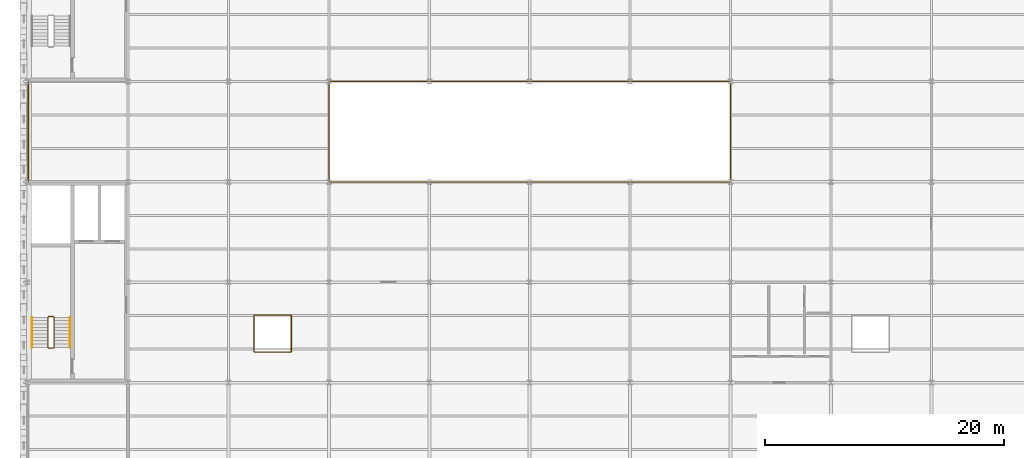
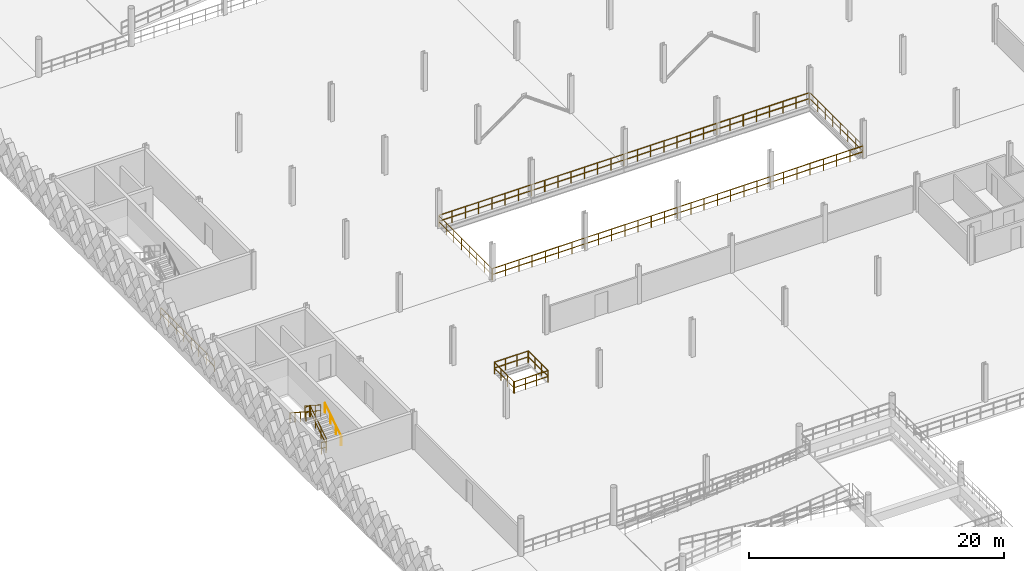
# One storey, part 56 of 62: 15 railings.
"""IFC4 building model written with IfcOpenShell, lengths in metres."""

from ifc_helpers import new_model, si_unit, direction, frame, origin, origin_2d, place, context, subcontext, project, spatial, circle, extrude, material, type_object, element, save


model = new_model("IFC4")

# Units and contexts
model_context = context("Model", 3, precision=1e-05, world=origin(), true_north=direction((0.0, 1.0)))
body_context = subcontext(model_context, "Body", "Model", "MODEL_VIEW")
ifc_project = project(units=[si_unit("LENGTHUNIT", "METRE"), si_unit("AREAUNIT", "SQUARE_METRE"), si_unit("VOLUMEUNIT", "CUBIC_METRE"), si_unit("PLANEANGLEUNIT", "RADIAN"), si_unit("MASSUNIT", "GRAM", prefix="KILO"), si_unit("THERMODYNAMICTEMPERATUREUNIT", "KELVIN"), si_unit("POWERUNIT", "WATT")], contexts=[model_context])

# Site, building, storey
site_placement = place(None, origin())
site = spatial("IfcSite", under=ifc_project, at=site_placement, CompositionType="ELEMENT")
building_placement = place(site_placement, origin())
building = spatial("IfcBuilding", under=site, at=building_placement, Name="Tembeka Court Mobility Hub", CompositionType="ELEMENT")
storey_placement = place(building_placement, frame((0.0, 0.0, 16.199951171875)))
storey = spatial("IfcBuildingStorey", under=building, at=storey_placement, Name="L04", CompositionType="ELEMENT", Elevation=16.199951171875)

# Railings
ifc_material_1 = material(Name="Painted galvanised steel balustrade", Category="steel")
railing_type_1 = type_object("IfcRailingType", Name="RL-GR01", PredefinedType="GUARDRAIL", material=ifc_material_1)
railing_1_placement = place(storey_placement, frame((18.97998046875, 40.949951171875, 0.0)))
element("IfcRailing", 1, at=railing_1_placement, inside=storey, type_object=railing_type_1, Name="Perimeter guard GR01-0131", PredefinedType="GUARDRAIL", context=body_context, shape_type="SweptSolid", body=[
    extrude(circle(Radius=0.02392578125, at=origin_2d()), frame((0.0, 0.0, 1.09619140625), z_axis=(1.0, 0.0, 0.0), x_axis=(0.0, 1.0, 0.0)), (0.0, 0.0, 1.0), 3.0400390625),
    extrude(circle(Radius=0.02392578125, at=origin_2d()), frame((0.0, 0.0, 0.5361328125), z_axis=(1.0, 0.0, 0.0), x_axis=(0.0, 1.0, 0.0)), (0.0, 0.0, 1.0), 3.0400390625),
    extrude(circle(Radius=0.02099609375, at=origin_2d()), origin(), (0.0, 0.0, 1.0), 1.072021484375),
    extrude(circle(Radius=0.02099609375, at=origin_2d()), frame((1.013427734375, 0.0, 0.0)), (0.0, 0.0, 1.0), 1.072021484375),
    extrude(circle(Radius=0.02099609375, at=origin_2d()), frame((2.026611328125, 0.0, 0.0)), (0.0, 0.0, 1.0), 1.072021484375),
    extrude(circle(Radius=0.02099609375, at=origin_2d()), frame((3.0400390625, 0.0, 0.0)), (0.0, 0.0, 1.0), 1.072021484375),
])
railing_2_placement = place(storey_placement, frame((22.050048828125, 40.97998046875, 0.0)))
element("IfcRailing", 2, at=railing_2_placement, inside=storey, type_object=railing_type_1, Name="Perimeter guard GR01-0132", PredefinedType="GUARDRAIL", context=body_context, shape_type="SweptSolid", body=[
    extrude(circle(Radius=0.02392578125, at=origin_2d()), frame((0.0, 0.0, 1.09619140625), z_axis=(0.0, 1.0, 0.0), x_axis=(-1.0, 0.0, 0.0)), (0.0, 0.0, 1.0), 3.0400390625),
    extrude(circle(Radius=0.02392578125, at=origin_2d()), frame((0.0, 0.0, 0.5361328125), z_axis=(0.0, 1.0, 0.0), x_axis=(-1.0, 0.0, 0.0)), (0.0, 0.0, 1.0), 3.0400390625),
    extrude(circle(Radius=0.02099609375, at=origin_2d()), origin(), (0.0, 0.0, 1.0), 1.072021484375),
    extrude(circle(Radius=0.02099609375, at=origin_2d()), frame((0.0, 1.013427734375, 0.0)), (0.0, 0.0, 1.0), 1.072021484375),
    extrude(circle(Radius=0.02099609375, at=origin_2d()), frame((0.0, 2.026611328125, 0.0)), (0.0, 0.0, 1.0), 1.072021484375),
    extrude(circle(Radius=0.02099609375, at=origin_2d()), frame((0.0, 3.0400390625, 0.0)), (0.0, 0.0, 1.0), 1.072021484375),
])
railing_3_placement = place(storey_placement, frame((22.02001953125, 44.050048828125, 0.0)))
element("IfcRailing", 3, at=railing_3_placement, inside=storey, type_object=railing_type_1, Name="Perimeter guard GR01-0133", PredefinedType="GUARDRAIL", context=body_context, shape_type="SweptSolid", body=[
    extrude(circle(Radius=0.02392578125, at=origin_2d()), frame((0.0, 0.0, 1.09619140625), z_axis=(-1.0, 0.0, 0.0), x_axis=(0.0, -1.0, 0.0)), (0.0, 0.0, 1.0), 3.0400390625),
    extrude(circle(Radius=0.02392578125, at=origin_2d()), frame((0.0, 0.0, 0.5361328125), z_axis=(-1.0, 0.0, 0.0), x_axis=(0.0, -1.0, 0.0)), (0.0, 0.0, 1.0), 3.0400390625),
    extrude(circle(Radius=0.02099609375, at=origin_2d()), origin(), (0.0, 0.0, 1.0), 1.072021484375),
    extrude(circle(Radius=0.02099609375, at=origin_2d()), frame((-1.013427734375, 0.0, 0.0)), (0.0, 0.0, 1.0), 1.072021484375),
    extrude(circle(Radius=0.02099609375, at=origin_2d()), frame((-2.026611328125, 0.0, 0.0)), (0.0, 0.0, 1.0), 1.072021484375),
    extrude(circle(Radius=0.02099609375, at=origin_2d()), frame((-3.0400390625, 0.0, 0.0)), (0.0, 0.0, 1.0), 1.072021484375),
])
railing_4_placement = place(storey_placement, frame((18.949951171875, 44.02001953125, 0.0)))
element("IfcRailing", 4, at=railing_4_placement, inside=storey, type_object=railing_type_1, Name="Perimeter guard GR01-0134", PredefinedType="GUARDRAIL", context=body_context, shape_type="SweptSolid", body=[
    extrude(circle(Radius=0.02392578125, at=origin_2d()), frame((0.0, 0.0, 1.09619140625), z_axis=(0.0, -1.0, 0.0), x_axis=(1.0, 0.0, 0.0)), (0.0, 0.0, 1.0), 3.0400390625),
    extrude(circle(Radius=0.02392578125, at=origin_2d()), frame((0.0, 0.0, 0.5361328125), z_axis=(0.0, -1.0, 0.0), x_axis=(1.0, 0.0, 0.0)), (0.0, 0.0, 1.0), 3.0400390625),
    extrude(circle(Radius=0.02099609375, at=origin_2d()), origin(), (0.0, 0.0, 1.0), 1.072021484375),
    extrude(circle(Radius=0.02099609375, at=origin_2d()), frame((0.0, -1.013427734375, 0.0)), (0.0, 0.0, 1.0), 1.072021484375),
    extrude(circle(Radius=0.02099609375, at=origin_2d()), frame((0.0, -2.026611328125, 0.0)), (0.0, 0.0, 1.0), 1.072021484375),
    extrude(circle(Radius=0.02099609375, at=origin_2d()), frame((0.0, -3.0400390625, 0.0)), (0.0, 0.0, 1.0), 1.072021484375),
])
railing_5_placement = place(storey_placement, frame((2.199951171875, 41.35009765625, 0.179931640625)))
element("IfcRailing", 5, at=railing_5_placement, inside=storey, type_object=railing_type_1, Name="L04 ST01 stair guard 1-1", PredefinedType="GUARDRAIL", context=body_context, shape_type="SweptSolid", body=[
    extrude(circle(Radius=0.02392578125, at=origin_2d()), frame((0.0, 0.0, 1.09619140625), z_axis=(0.0, 0.841162588446, 0.540782303519), x_axis=(-1.0, 0.0, 0.0)), (0.0, 0.0, 1.0), 2.995849609375),
    extrude(circle(Radius=0.02392578125, at=origin_2d()), frame((0.0, 0.0, 0.5361328125), z_axis=(0.0, 0.841162588446, 0.540782303519), x_axis=(-1.0, 0.0, 0.0)), (0.0, 0.0, 1.0), 2.995849609375),
    extrude(circle(Radius=0.02099609375, at=origin_2d()), origin(), (0.0, 0.0, 1.0), 1.072021484375),
    extrude(circle(Radius=0.02099609375, at=origin_2d()), frame((0.0, 0.840087890625, 0.5400390625)), (0.0, 0.0, 1.0), 1.072021484375),
    extrude(circle(Radius=0.02099609375, at=origin_2d()), frame((0.0, 1.679931640625, 1.080078125)), (0.0, 0.0, 1.0), 1.072021484375),
    extrude(circle(Radius=0.02099609375, at=origin_2d()), frame((0.0, 2.52001953125, 1.6201171875)), (0.0, 0.0, 1.0), 1.072021484375),
])
railing_6_placement = place(storey_placement, frame((2.14990234375, 43.919921875, 1.800048828125)))
element("IfcRailing", 6, at=railing_6_placement, inside=storey, type_object=railing_type_1, Name="L04 ST01 stair guard 2-1", PredefinedType="GUARDRAIL", context=body_context, shape_type="SweptSolid", body=[
    extrude(circle(Radius=0.02392578125, at=origin_2d()), frame((0.0, 0.0, 1.09619140625), z_axis=(-1.0, 0.0, 0.0), x_axis=(0.0, -1.0, 0.0)), (0.0, 0.0, 1.0), 0.39990234375),
    extrude(circle(Radius=0.02392578125, at=origin_2d()), frame((0.0, 0.0, 0.5361328125), z_axis=(-1.0, 0.0, 0.0), x_axis=(0.0, -1.0, 0.0)), (0.0, 0.0, 1.0), 0.39990234375),
    extrude(circle(Radius=0.02099609375, at=origin_2d()), origin(), (0.0, 0.0, 1.0), 1.072021484375),
    extrude(circle(Radius=0.02099609375, at=origin_2d()), frame((-0.39990234375, 0.0, 0.0)), (0.0, 0.0, 1.0), 1.072021484375),
])
railing_7_placement = place(storey_placement, frame((1.699951171875, 43.8701171875, 1.97998046875)))
element("IfcRailing", 7, at=railing_7_placement, inside=storey, type_object=railing_type_1, Name="L04 ST01 stair guard 3-1", PredefinedType="GUARDRAIL", context=body_context, shape_type="SweptSolid", body=[
    extrude(circle(Radius=0.02392578125, at=origin_2d()), frame((0.0, 0.0, 1.09619140625), z_axis=(0.0, -0.841162588446, 0.540782303519), x_axis=(1.0, 0.0, 0.0)), (0.0, 0.0, 1.0), 2.995849609375),
    extrude(circle(Radius=0.02392578125, at=origin_2d()), frame((0.0, 0.0, 0.5361328125), z_axis=(0.0, -0.841162588446, 0.540782303519), x_axis=(1.0, 0.0, 0.0)), (0.0, 0.0, 1.0), 2.995849609375),
    extrude(circle(Radius=0.02099609375, at=origin_2d()), origin(), (0.0, 0.0, 1.0), 1.072021484375),
    extrude(circle(Radius=0.02099609375, at=origin_2d()), frame((0.0, -0.840087890625, 0.5400390625)), (0.0, 0.0, 1.0), 1.072021484375),
    extrude(circle(Radius=0.02099609375, at=origin_2d()), frame((0.0, -1.679931640625, 1.080078125)), (0.0, 0.0, 1.0), 1.072021484375),
    extrude(circle(Radius=0.02099609375, at=origin_2d()), frame((0.0, -2.52001953125, 1.6201171875)), (0.0, 0.0, 1.0), 1.072021484375),
])
railing_8_placement = place(storey_placement, frame((2.14990234375, 41.300048828125, 0.0)))
element("IfcRailing", 8, at=railing_8_placement, inside=storey, type_object=railing_type_1, Name="L04 ST01 stair guard 4-1", PredefinedType="GUARDRAIL", context=body_context, shape_type="SweptSolid", body=[
    extrude(circle(Radius=0.02392578125, at=origin_2d()), frame((0.0, 0.0, 1.09619140625), z_axis=(-1.0, 0.0, 0.0), x_axis=(0.0, -1.0, 0.0)), (0.0, 0.0, 1.0), 0.39990234375),
    extrude(circle(Radius=0.02392578125, at=origin_2d()), frame((0.0, 0.0, 0.5361328125), z_axis=(-1.0, 0.0, 0.0), x_axis=(0.0, -1.0, 0.0)), (0.0, 0.0, 1.0), 0.39990234375),
    extrude(circle(Radius=0.02099609375, at=origin_2d()), origin(), (0.0, 0.0, 1.0), 1.072021484375),
    extrude(circle(Radius=0.02099609375, at=origin_2d()), frame((-0.39990234375, 0.0, 0.0)), (0.0, 0.0, 1.0), 1.072021484375),
])
railing_type_2 = type_object("IfcRailingType", Name="RL-GR02", PredefinedType="GUARDRAIL", material=ifc_material_1)
railing_9_placement = place(storey_placement, frame((25.22998046875, 55.199951171875, 0.0)))
element("IfcRailing", 9, at=railing_9_placement, inside=storey, type_object=railing_type_2, Name="Perimeter guard GR02-0127", PredefinedType="GUARDRAIL", context=body_context, shape_type="SweptSolid", body=[
    extrude(circle(Radius=0.02392578125, at=origin_2d()), frame((0.0, 0.0, 1.09619140625), z_axis=(1.0, 0.0, 0.0), x_axis=(0.0, 1.0, 0.0)), (0.0, 0.0, 1.0), 33.5400390625),
    extrude(circle(Radius=0.02392578125, at=origin_2d()), frame((0.0, 0.0, 0.5361328125), z_axis=(1.0, 0.0, 0.0), x_axis=(0.0, 1.0, 0.0)), (0.0, 0.0, 1.0), 33.5400390625),
    extrude(circle(Radius=0.02099609375, at=origin_2d()), origin(), (0.0, 0.0, 1.0), 1.072021484375),
    extrude(circle(Radius=0.02099609375, at=origin_2d()), frame((1.19775390625, 0.0, 0.0)), (0.0, 0.0, 1.0), 1.072021484375),
    extrude(circle(Radius=0.02099609375, at=origin_2d()), frame((2.395751953125, 0.0, 0.0)), (0.0, 0.0, 1.0), 1.072021484375),
    extrude(circle(Radius=0.02099609375, at=origin_2d()), frame((3.593505859375, 0.0, 0.0)), (0.0, 0.0, 1.0), 1.072021484375),
    extrude(circle(Radius=0.02099609375, at=origin_2d()), frame((4.79150390625, 0.0, 0.0)), (0.0, 0.0, 1.0), 1.072021484375),
    extrude(circle(Radius=0.02099609375, at=origin_2d()), frame((5.9892578125, 0.0, 0.0)), (0.0, 0.0, 1.0), 1.072021484375),
    extrude(circle(Radius=0.02099609375, at=origin_2d()), frame((7.187255859375, 0.0, 0.0)), (0.0, 0.0, 1.0), 1.072021484375),
    extrude(circle(Radius=0.02099609375, at=origin_2d()), frame((8.385009765625, 0.0, 0.0)), (0.0, 0.0, 1.0), 1.072021484375),
    extrude(circle(Radius=0.02099609375, at=origin_2d()), frame((9.582763671875, 0.0, 0.0)), (0.0, 0.0, 1.0), 1.072021484375),
    extrude(circle(Radius=0.02099609375, at=origin_2d()), frame((10.78076171875, 0.0, 0.0)), (0.0, 0.0, 1.0), 1.072021484375),
    extrude(circle(Radius=0.02099609375, at=origin_2d()), frame((11.978515625, 0.0, 0.0)), (0.0, 0.0, 1.0), 1.072021484375),
    extrude(circle(Radius=0.02099609375, at=origin_2d()), frame((13.176513671875, 0.0, 0.0)), (0.0, 0.0, 1.0), 1.072021484375),
    extrude(circle(Radius=0.02099609375, at=origin_2d()), frame((14.374267578125, 0.0, 0.0)), (0.0, 0.0, 1.0), 1.072021484375),
    extrude(circle(Radius=0.02099609375, at=origin_2d()), frame((15.572265625, 0.0, 0.0)), (0.0, 0.0, 1.0), 1.072021484375),
    extrude(circle(Radius=0.02099609375, at=origin_2d()), frame((16.77001953125, 0.0, 0.0)), (0.0, 0.0, 1.0), 1.072021484375),
    extrude(circle(Radius=0.02099609375, at=origin_2d()), frame((17.9677734375, 0.0, 0.0)), (0.0, 0.0, 1.0), 1.072021484375),
    extrude(circle(Radius=0.02099609375, at=origin_2d()), frame((19.165771484375, 0.0, 0.0)), (0.0, 0.0, 1.0), 1.072021484375),
    extrude(circle(Radius=0.02099609375, at=origin_2d()), frame((20.363525390625, 0.0, 0.0)), (0.0, 0.0, 1.0), 1.072021484375),
    extrude(circle(Radius=0.02099609375, at=origin_2d()), frame((21.5615234375, 0.0, 0.0)), (0.0, 0.0, 1.0), 1.072021484375),
    extrude(circle(Radius=0.02099609375, at=origin_2d()), frame((22.75927734375, 0.0, 0.0)), (0.0, 0.0, 1.0), 1.072021484375),
    extrude(circle(Radius=0.02099609375, at=origin_2d()), frame((23.957275390625, 0.0, 0.0)), (0.0, 0.0, 1.0), 1.072021484375),
    extrude(circle(Radius=0.02099609375, at=origin_2d()), frame((25.155029296875, 0.0, 0.0)), (0.0, 0.0, 1.0), 1.072021484375),
    extrude(circle(Radius=0.02099609375, at=origin_2d()), frame((26.352783203125, 0.0, 0.0)), (0.0, 0.0, 1.0), 1.072021484375),
    extrude(circle(Radius=0.02099609375, at=origin_2d()), frame((27.55078125, 0.0, 0.0)), (0.0, 0.0, 1.0), 1.072021484375),
    extrude(circle(Radius=0.02099609375, at=origin_2d()), frame((28.74853515625, 0.0, 0.0)), (0.0, 0.0, 1.0), 1.072021484375),
    extrude(circle(Radius=0.02099609375, at=origin_2d()), frame((29.946533203125, 0.0, 0.0)), (0.0, 0.0, 1.0), 1.072021484375),
    extrude(circle(Radius=0.02099609375, at=origin_2d()), frame((31.144287109375, 0.0, 0.0)), (0.0, 0.0, 1.0), 1.072021484375),
    extrude(circle(Radius=0.02099609375, at=origin_2d()), frame((32.34228515625, 0.0, 0.0)), (0.0, 0.0, 1.0), 1.072021484375),
    extrude(circle(Radius=0.02099609375, at=origin_2d()), frame((33.5400390625, 0.0, 0.0)), (0.0, 0.0, 1.0), 1.072021484375),
])
railing_10_placement = place(storey_placement, frame((58.800048828125, 55.22998046875, 0.0)))
element("IfcRailing", 10, at=railing_10_placement, inside=storey, type_object=railing_type_2, Name="Perimeter guard GR02-0128", PredefinedType="GUARDRAIL", context=body_context, shape_type="SweptSolid", body=[
    extrude(circle(Radius=0.02392578125, at=origin_2d()), frame((0.0, 0.0, 1.09619140625), z_axis=(0.0, 1.0, 0.0), x_axis=(-1.0, 0.0, 0.0)), (0.0, 0.0, 1.0), 8.340087890625),
    extrude(circle(Radius=0.02392578125, at=origin_2d()), frame((0.0, 0.0, 0.5361328125), z_axis=(0.0, 1.0, 0.0), x_axis=(-1.0, 0.0, 0.0)), (0.0, 0.0, 1.0), 8.340087890625),
    extrude(circle(Radius=0.02099609375, at=origin_2d()), origin(), (0.0, 0.0, 1.0), 1.072021484375),
    extrude(circle(Radius=0.02099609375, at=origin_2d()), frame((0.0, 1.19140625, 0.0)), (0.0, 0.0, 1.0), 1.072021484375),
    extrude(circle(Radius=0.02099609375, at=origin_2d()), frame((0.0, 2.3828125, 0.0)), (0.0, 0.0, 1.0), 1.072021484375),
    extrude(circle(Radius=0.02099609375, at=origin_2d()), frame((0.0, 3.57421875, 0.0)), (0.0, 0.0, 1.0), 1.072021484375),
    extrude(circle(Radius=0.02099609375, at=origin_2d()), frame((0.0, 4.765869140625, 0.0)), (0.0, 0.0, 1.0), 1.072021484375),
    extrude(circle(Radius=0.02099609375, at=origin_2d()), frame((0.0, 5.957275390625, 0.0)), (0.0, 0.0, 1.0), 1.072021484375),
    extrude(circle(Radius=0.02099609375, at=origin_2d()), frame((0.0, 7.148681640625, 0.0)), (0.0, 0.0, 1.0), 1.072021484375),
    extrude(circle(Radius=0.02099609375, at=origin_2d()), frame((0.0, 8.340087890625, 0.0)), (0.0, 0.0, 1.0), 1.072021484375),
])
railing_11_placement = place(storey_placement, frame((58.77001953125, 63.60009765625, 0.0)))
element("IfcRailing", 11, at=railing_11_placement, inside=storey, type_object=railing_type_2, Name="Perimeter guard GR02-0129", PredefinedType="GUARDRAIL", context=body_context, shape_type="SweptSolid", body=[
    extrude(circle(Radius=0.02392578125, at=origin_2d()), frame((0.0, 0.0, 1.09619140625), z_axis=(-1.0, 0.0, 0.0), x_axis=(0.0, -1.0, 0.0)), (0.0, 0.0, 1.0), 33.5400390625),
    extrude(circle(Radius=0.02392578125, at=origin_2d()), frame((0.0, 0.0, 0.5361328125), z_axis=(-1.0, 0.0, 0.0), x_axis=(0.0, -1.0, 0.0)), (0.0, 0.0, 1.0), 33.5400390625),
    extrude(circle(Radius=0.02099609375, at=origin_2d()), origin(), (0.0, 0.0, 1.0), 1.072021484375),
    extrude(circle(Radius=0.02099609375, at=origin_2d()), frame((-1.19775390625, 0.0, 0.0)), (0.0, 0.0, 1.0), 1.072021484375),
    extrude(circle(Radius=0.02099609375, at=origin_2d()), frame((-2.395751953125, 0.0, 0.0)), (0.0, 0.0, 1.0), 1.072021484375),
    extrude(circle(Radius=0.02099609375, at=origin_2d()), frame((-3.593505859375, 0.0, 0.0)), (0.0, 0.0, 1.0), 1.072021484375),
    extrude(circle(Radius=0.02099609375, at=origin_2d()), frame((-4.79150390625, 0.0, 0.0)), (0.0, 0.0, 1.0), 1.072021484375),
    extrude(circle(Radius=0.02099609375, at=origin_2d()), frame((-5.9892578125, 0.0, 0.0)), (0.0, 0.0, 1.0), 1.072021484375),
    extrude(circle(Radius=0.02099609375, at=origin_2d()), frame((-7.187255859375, 0.0, 0.0)), (0.0, 0.0, 1.0), 1.072021484375),
    extrude(circle(Radius=0.02099609375, at=origin_2d()), frame((-8.385009765625, 0.0, 0.0)), (0.0, 0.0, 1.0), 1.072021484375),
    extrude(circle(Radius=0.02099609375, at=origin_2d()), frame((-9.582763671875, 0.0, 0.0)), (0.0, 0.0, 1.0), 1.072021484375),
    extrude(circle(Radius=0.02099609375, at=origin_2d()), frame((-10.78076171875, 0.0, 0.0)), (0.0, 0.0, 1.0), 1.072021484375),
    extrude(circle(Radius=0.02099609375, at=origin_2d()), frame((-11.978515625, 0.0, 0.0)), (0.0, 0.0, 1.0), 1.072021484375),
    extrude(circle(Radius=0.02099609375, at=origin_2d()), frame((-13.176513671875, 0.0, 0.0)), (0.0, 0.0, 1.0), 1.072021484375),
    extrude(circle(Radius=0.02099609375, at=origin_2d()), frame((-14.374267578125, 0.0, 0.0)), (0.0, 0.0, 1.0), 1.072021484375),
    extrude(circle(Radius=0.02099609375, at=origin_2d()), frame((-15.572265625, 0.0, 0.0)), (0.0, 0.0, 1.0), 1.072021484375),
    extrude(circle(Radius=0.02099609375, at=origin_2d()), frame((-16.77001953125, 0.0, 0.0)), (0.0, 0.0, 1.0), 1.072021484375),
    extrude(circle(Radius=0.02099609375, at=origin_2d()), frame((-17.9677734375, 0.0, 0.0)), (0.0, 0.0, 1.0), 1.072021484375),
    extrude(circle(Radius=0.02099609375, at=origin_2d()), frame((-19.165771484375, 0.0, 0.0)), (0.0, 0.0, 1.0), 1.072021484375),
    extrude(circle(Radius=0.02099609375, at=origin_2d()), frame((-20.363525390625, 0.0, 0.0)), (0.0, 0.0, 1.0), 1.072021484375),
    extrude(circle(Radius=0.02099609375, at=origin_2d()), frame((-21.5615234375, 0.0, 0.0)), (0.0, 0.0, 1.0), 1.072021484375),
    extrude(circle(Radius=0.02099609375, at=origin_2d()), frame((-22.75927734375, 0.0, 0.0)), (0.0, 0.0, 1.0), 1.072021484375),
    extrude(circle(Radius=0.02099609375, at=origin_2d()), frame((-23.957275390625, 0.0, 0.0)), (0.0, 0.0, 1.0), 1.072021484375),
    extrude(circle(Radius=0.02099609375, at=origin_2d()), frame((-25.155029296875, 0.0, 0.0)), (0.0, 0.0, 1.0), 1.072021484375),
    extrude(circle(Radius=0.02099609375, at=origin_2d()), frame((-26.352783203125, 0.0, 0.0)), (0.0, 0.0, 1.0), 1.072021484375),
    extrude(circle(Radius=0.02099609375, at=origin_2d()), frame((-27.55078125, 0.0, 0.0)), (0.0, 0.0, 1.0), 1.072021484375),
    extrude(circle(Radius=0.02099609375, at=origin_2d()), frame((-28.74853515625, 0.0, 0.0)), (0.0, 0.0, 1.0), 1.072021484375),
    extrude(circle(Radius=0.02099609375, at=origin_2d()), frame((-29.946533203125, 0.0, 0.0)), (0.0, 0.0, 1.0), 1.072021484375),
    extrude(circle(Radius=0.02099609375, at=origin_2d()), frame((-31.144287109375, 0.0, 0.0)), (0.0, 0.0, 1.0), 1.072021484375),
    extrude(circle(Radius=0.02099609375, at=origin_2d()), frame((-32.34228515625, 0.0, 0.0)), (0.0, 0.0, 1.0), 1.072021484375),
    extrude(circle(Radius=0.02099609375, at=origin_2d()), frame((-33.5400390625, 0.0, 0.0)), (0.0, 0.0, 1.0), 1.072021484375),
])
railing_12_placement = place(storey_placement, frame((25.199951171875, 63.570068359375, 0.0)))
element("IfcRailing", 12, at=railing_12_placement, inside=storey, type_object=railing_type_2, Name="Perimeter guard GR02-0130", PredefinedType="GUARDRAIL", context=body_context, shape_type="SweptSolid", body=[
    extrude(circle(Radius=0.02392578125, at=origin_2d()), frame((0.0, 0.0, 1.09619140625), z_axis=(0.0, -1.0, 0.0), x_axis=(1.0, 0.0, 0.0)), (0.0, 0.0, 1.0), 8.340087890625),
    extrude(circle(Radius=0.02392578125, at=origin_2d()), frame((0.0, 0.0, 0.5361328125), z_axis=(0.0, -1.0, 0.0), x_axis=(1.0, 0.0, 0.0)), (0.0, 0.0, 1.0), 8.340087890625),
    extrude(circle(Radius=0.02099609375, at=origin_2d()), origin(), (0.0, 0.0, 1.0), 1.072021484375),
    extrude(circle(Radius=0.02099609375, at=origin_2d()), frame((0.0, -1.19140625, 0.0)), (0.0, 0.0, 1.0), 1.072021484375),
    extrude(circle(Radius=0.02099609375, at=origin_2d()), frame((0.0, -2.3828125, 0.0)), (0.0, 0.0, 1.0), 1.072021484375),
    extrude(circle(Radius=0.02099609375, at=origin_2d()), frame((0.0, -3.57421875, 0.0)), (0.0, 0.0, 1.0), 1.072021484375),
    extrude(circle(Radius=0.02099609375, at=origin_2d()), frame((0.0, -4.765869140625, 0.0)), (0.0, 0.0, 1.0), 1.072021484375),
    extrude(circle(Radius=0.02099609375, at=origin_2d()), frame((0.0, -5.957275390625, 0.0)), (0.0, 0.0, 1.0), 1.072021484375),
    extrude(circle(Radius=0.02099609375, at=origin_2d()), frame((0.0, -7.148681640625, 0.0)), (0.0, 0.0, 1.0), 1.072021484375),
    extrude(circle(Radius=0.02099609375, at=origin_2d()), frame((0.0, -8.340087890625, 0.0)), (0.0, 0.0, 1.0), 1.072021484375),
])
railing_13_placement = place(storey_placement, frame((0.050048828125, 55.22998046875, 0.0)))
element("IfcRailing", 13, at=railing_13_placement, inside=storey, type_object=railing_type_2, Name="Perimeter guard GR02-0150", PredefinedType="GUARDRAIL", context=body_context, shape_type="SweptSolid", body=[
    extrude(circle(Radius=0.02392578125, at=origin_2d()), frame((0.0, 0.0, 1.09619140625), z_axis=(0.0, 1.0, 0.0), x_axis=(-1.0, 0.0, 0.0)), (0.0, 0.0, 1.0), 8.340087890625),
    extrude(circle(Radius=0.02392578125, at=origin_2d()), frame((0.0, 0.0, 0.5361328125), z_axis=(0.0, 1.0, 0.0), x_axis=(-1.0, 0.0, 0.0)), (0.0, 0.0, 1.0), 8.340087890625),
    extrude(circle(Radius=0.02099609375, at=origin_2d()), origin(), (0.0, 0.0, 1.0), 1.072021484375),
    extrude(circle(Radius=0.02099609375, at=origin_2d()), frame((0.0, 1.19140625, 0.0)), (0.0, 0.0, 1.0), 1.072021484375),
    extrude(circle(Radius=0.02099609375, at=origin_2d()), frame((0.0, 2.3828125, 0.0)), (0.0, 0.0, 1.0), 1.072021484375),
    extrude(circle(Radius=0.02099609375, at=origin_2d()), frame((0.0, 3.57421875, 0.0)), (0.0, 0.0, 1.0), 1.072021484375),
    extrude(circle(Radius=0.02099609375, at=origin_2d()), frame((0.0, 4.765869140625, 0.0)), (0.0, 0.0, 1.0), 1.072021484375),
    extrude(circle(Radius=0.02099609375, at=origin_2d()), frame((0.0, 5.957275390625, 0.0)), (0.0, 0.0, 1.0), 1.072021484375),
    extrude(circle(Radius=0.02099609375, at=origin_2d()), frame((0.0, 7.148681640625, 0.0)), (0.0, 0.0, 1.0), 1.072021484375),
    extrude(circle(Radius=0.02099609375, at=origin_2d()), frame((0.0, 8.340087890625, 0.0)), (0.0, 0.0, 1.0), 1.072021484375),
])
ifc_material_2 = material(Name="Brushed stainless steel handrail", Category="steel")
railing_type_3 = type_object("IfcRailingType", Name="RL-HR01", PredefinedType="HANDRAIL", material=ifc_material_2)
railing_14_placement = place(storey_placement, frame((3.550048828125, 41.35009765625, 0.179931640625)))
element("IfcRailing", 14, at=railing_14_placement, inside=storey, type_object=railing_type_3, Name="L04 ST01 handrail 1-1", PredefinedType="HANDRAIL", context=body_context, shape_type="SweptSolid", body=[
    extrude(circle(Radius=0.02392578125, at=origin_2d()), frame((0.0, 0.0, 0.89599609375), z_axis=(0.0, 0.841162588446, 0.540782303519), x_axis=(-1.0, 0.0, 0.0)), (0.0, 0.0, 1.0), 2.995849609375),
    extrude(circle(Radius=0.02099609375, at=origin_2d()), origin(), (0.0, 0.0, 1.0), 0.871826171875),
    extrude(circle(Radius=0.02099609375, at=origin_2d()), frame((0.0, 0.840087890625, 0.5400390625)), (0.0, 0.0, 1.0), 0.871826171875),
    extrude(circle(Radius=0.02099609375, at=origin_2d()), frame((0.0, 1.679931640625, 1.080078125)), (0.0, 0.0, 1.0), 0.871826171875),
    extrude(circle(Radius=0.02099609375, at=origin_2d()), frame((0.0, 2.52001953125, 1.6201171875)), (0.0, 0.0, 1.0), 0.871826171875),
])
railing_15_placement = place(storey_placement, frame((0.35009765625, 43.8701171875, 1.97998046875)))
element("IfcRailing", 15, at=railing_15_placement, inside=storey, type_object=railing_type_3, Name="L04 ST01 handrail 2-1", PredefinedType="HANDRAIL", context=body_context, shape_type="SweptSolid", body=[
    extrude(circle(Radius=0.02392578125, at=origin_2d()), frame((0.0, 0.0, 0.89599609375), z_axis=(0.0, -0.841162588446, 0.540782303519), x_axis=(1.0, 0.0, 0.0)), (0.0, 0.0, 1.0), 2.995849609375),
    extrude(circle(Radius=0.02099609375, at=origin_2d()), origin(), (0.0, 0.0, 1.0), 0.871826171875),
    extrude(circle(Radius=0.02099609375, at=origin_2d()), frame((0.0, -0.840087890625, 0.5400390625)), (0.0, 0.0, 1.0), 0.871826171875),
    extrude(circle(Radius=0.02099609375, at=origin_2d()), frame((0.0, -1.679931640625, 1.080078125)), (0.0, 0.0, 1.0), 0.871826171875),
    extrude(circle(Radius=0.02099609375, at=origin_2d()), frame((0.0, -2.52001953125, 1.6201171875)), (0.0, 0.0, 1.0), 0.871826171875),
])

save(model, "model.ifc")
